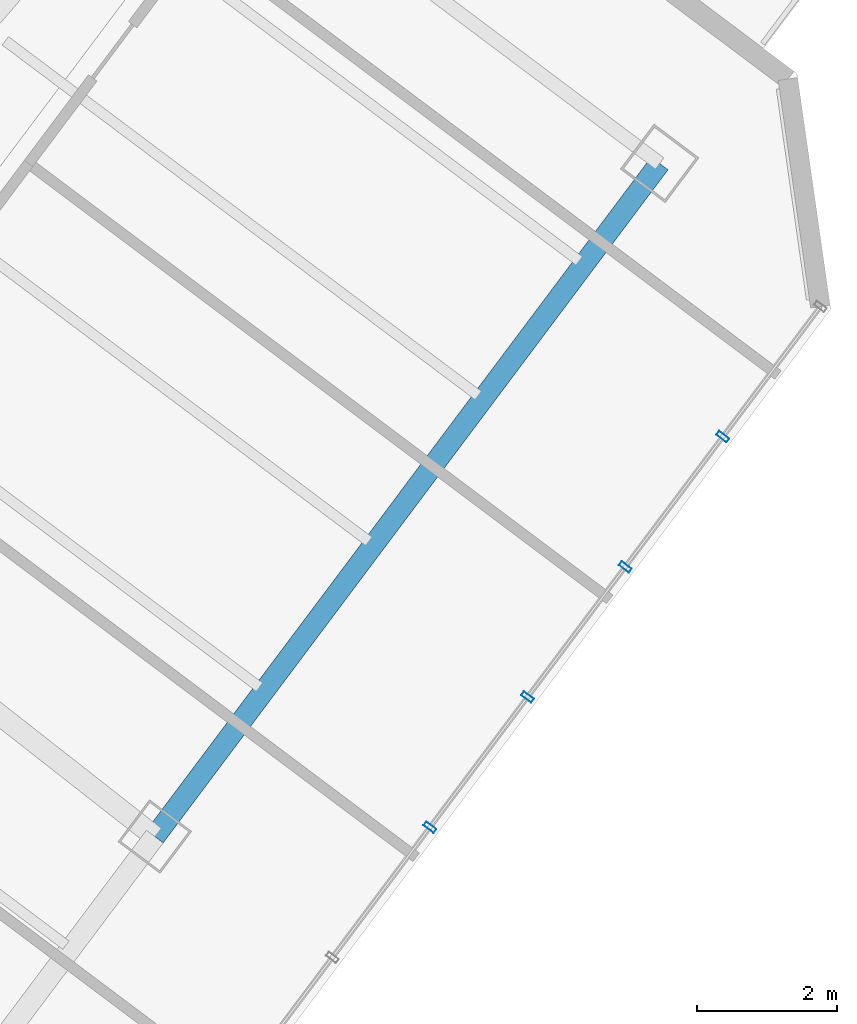
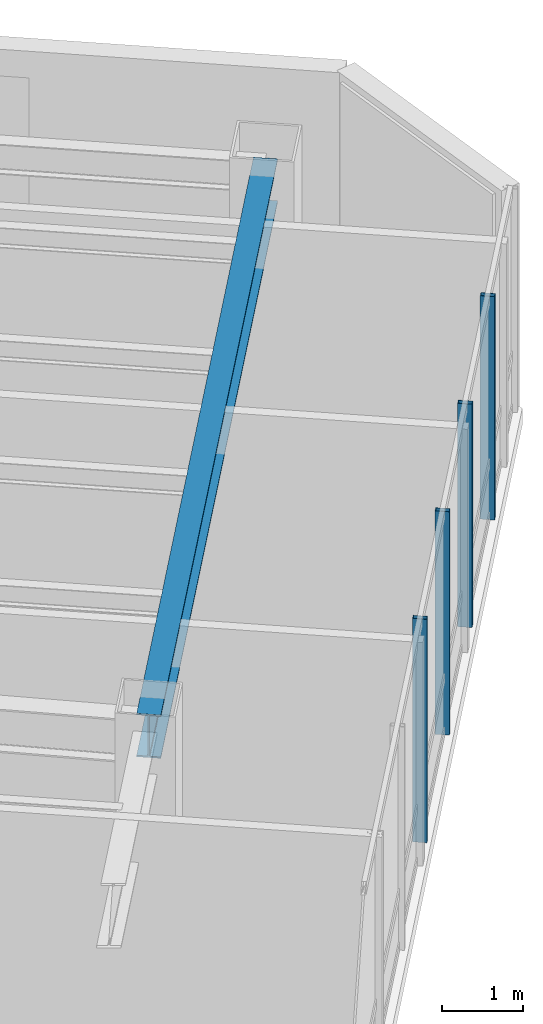
# One storey, part 13 of 27: 4 members, 1 beam, 1 element without a shape of its own.
"""IFC4 building model written with IfcOpenShell, lengths in metres."""

from ifc_helpers import new_model, si_unit, direction, frame, origin, origin_2d, place, context, subcontext, project, spatial, hollow_rectangle, i_section, extrude, material, layer, layer_set, material_profile, profile_set, type_object, element, aggregate, save


model = new_model("IFC4")

# Units and contexts
model_context = context("Model", 3, precision=1e-05, world=origin(), true_north=direction((0.0, 1.0)))
body_context = subcontext(model_context, "Body", "Model", "MODEL_VIEW")
ifc_project = project(units=[si_unit("LENGTHUNIT", "METRE"), si_unit("AREAUNIT", "SQUARE_METRE"), si_unit("VOLUMEUNIT", "CUBIC_METRE"), si_unit("PLANEANGLEUNIT", "RADIAN"), si_unit("MASSUNIT", "GRAM", prefix="KILO")], contexts=[model_context])

# Site, building, storey
site_placement = place(None, origin())
site = spatial("IfcSite", under=ifc_project, at=site_placement, CompositionType="ELEMENT")
building_placement = place(site_placement, origin())
building = spatial("IfcBuilding", under=site, at=building_placement, Name="Hatsunagi Terrace Concourse", CompositionType="ELEMENT")
storey_placement = place(building_placement, frame((0.0, 0.0, 167.25)))
storey = spatial("IfcBuildingStorey", under=building, at=storey_placement, Name="L44", CompositionType="ELEMENT", Elevation=167.25)

# Curtain wall, members
ifc_material_1 = material(Name="Anodised Aluminium Alloy 6063-T5", Category="aluminium")
ifc_layer = layer(ifc_material_1, 0.199951171875)
ifc_layer_set = layer_set([ifc_layer], Name="OfficeZone1_CW03")
curtain_wall_type = type_object("IfcCurtainWallType", Name="OfficeZone1_CW03", PredefinedType="NOTDEFINED", material=ifc_layer_set)
curtain_wall_placement = place(storey_placement, origin())
curtain_wall = element("IfcCurtainWall", 1, at=curtain_wall_placement, inside=storey, type_object=curtain_wall_type, Name="Unitised Curtain Wall CW-03 CW-L44-03", PredefinedType="NOTDEFINED")
ifc_material_2 = material(Name="Anodised Aluminium Alloy 6063-T5", Category="aluminium")
ifc_material_profile_1 = material_profile(ifc_material_2, hollow_rectangle(XDim=0.070068359375, YDim=0.179931640625, WallThickness=0.00390625, at=origin_2d()), Name="ALU-MUL-180x70x4")
ifc_profile_set_1 = profile_set([ifc_material_profile_1], Name="Anodised Aluminium Alloy 6063-T5")
member_type = type_object("IfcMemberType", Name="CurtainWallMullion_180x70", PredefinedType="MULLION", material=ifc_profile_set_1)
member_1_placement = place(storey_placement, frame((59.301025390625, 24.10205078125, 0.0), z_axis=(0.0, 0.0, 1.0), x_axis=(-0.599969314634, -0.800023013105, 0.0)))
member_1 = element("IfcMember", 2, at=member_1_placement, type_object=member_type, Name="Curtain Wall Mullion MUL-02", PredefinedType="MULLION", context=body_context, shape_type="SweptSolid", body=[
    extrude(hollow_rectangle(XDim=0.070068359375, YDim=0.179931640625, WallThickness=0.00390625, at=origin_2d()), origin(), (0.0, 0.0, 1.0), 3.35009765625),
])
member_2_placement = place(storey_placement, frame((57.908935546875, 22.2451171875, 0.0), z_axis=(0.0, 0.0, 1.0), x_axis=(-0.599969314634, -0.800023013105, 0.0)))
member_2 = element("IfcMember", 3, at=member_2_placement, type_object=member_type, Name="Curtain Wall Mullion MUL-02", PredefinedType="MULLION", context=body_context, shape_type="SweptSolid", body=[
    extrude(hollow_rectangle(XDim=0.070068359375, YDim=0.179931640625, WallThickness=0.00390625, at=origin_2d()), origin(), (0.0, 0.0, 1.0), 3.35009765625),
])
member_3_placement = place(storey_placement, frame((56.51611328125, 20.388916015625, 0.0), z_axis=(0.0, 0.0, 1.0), x_axis=(-0.599969314634, -0.800023013105, 0.0)))
member_3 = element("IfcMember", 4, at=member_3_placement, type_object=member_type, Name="Curtain Wall Mullion MUL-02", PredefinedType="MULLION", context=body_context, shape_type="SweptSolid", body=[
    extrude(hollow_rectangle(XDim=0.070068359375, YDim=0.179931640625, WallThickness=0.00390625, at=origin_2d()), origin(), (0.0, 0.0, 1.0), 3.35009765625),
])
member_4_placement = place(storey_placement, frame((55.1240234375, 18.531982421875, 0.0), z_axis=(0.0, 0.0, 1.0), x_axis=(-0.599969314634, -0.800023013105, 0.0)))
member_4 = element("IfcMember", 5, at=member_4_placement, type_object=member_type, Name="Curtain Wall Mullion MUL-02", PredefinedType="MULLION", context=body_context, shape_type="SweptSolid", body=[
    extrude(hollow_rectangle(XDim=0.070068359375, YDim=0.179931640625, WallThickness=0.00390625, at=origin_2d()), origin(), (0.0, 0.0, 1.0), 3.35009765625),
])
aggregate(curtain_wall, [member_1, member_2, member_3, member_4])

# Beam
ifc_material_3 = material(Name="Steel SN490B", Category="steel")
ifc_material_profile_2 = material_profile(ifc_material_3, i_section(OverallWidth=0.300048828125, OverallDepth=0.64990234375, WebThickness=0.012939453125, FlangeThickness=0.02197265625, FilletRadius=0.01806640625, at=origin_2d()), Name="H-650x300x13x22")
ifc_profile_set_2 = profile_set([ifc_material_profile_2], Name="Steel SN490B")
beam_type = type_object("IfcBeamType", Name="OfficeLowGirder_H_650x300", PredefinedType="BEAM", material=ifc_profile_set_2)
beam_placement = place(storey_placement, frame((51.199951171875, 18.39990234375, 3.02490234375), z_axis=(0.59999348959, 0.800004882766, 0.0), x_axis=(-0.800004882766, 0.59999348959, 0.0)))
element("IfcBeam", 6, at=beam_placement, inside=storey, type_object=beam_type, Name="Beam G-05 BM-L44-SET-2B", PredefinedType="BEAM", context=body_context, shape_type="SweptSolid", body=[
    extrude(i_section(OverallWidth=0.300048828125, OverallDepth=0.64990234375, WebThickness=0.012939453125, FlangeThickness=0.02197265625, FilletRadius=0.01806640625, at=origin_2d()), origin(), (0.0, 0.0, 1.0), 12.0),
])

save(model, "model.ifc")
